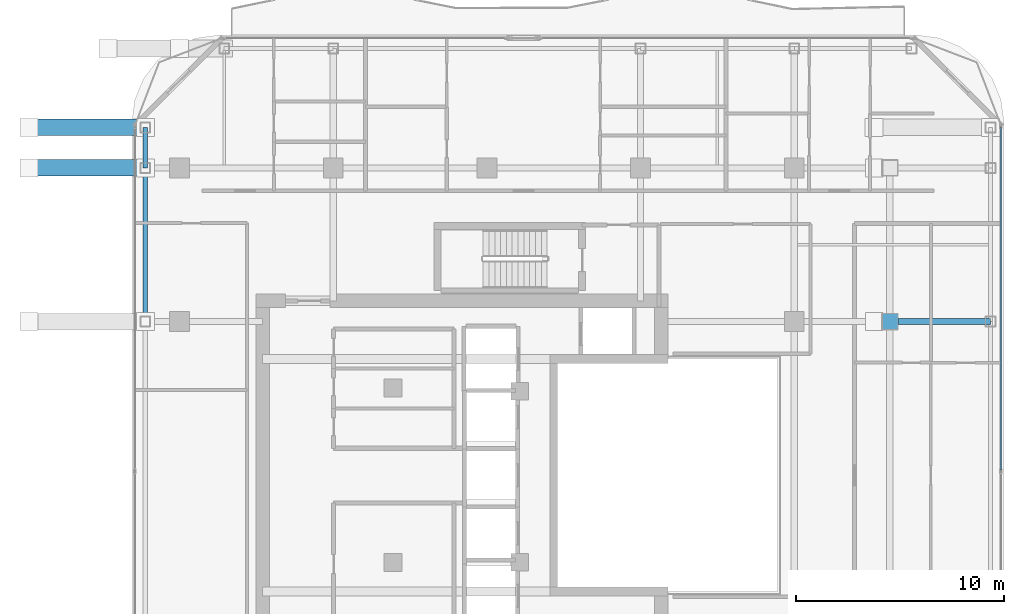
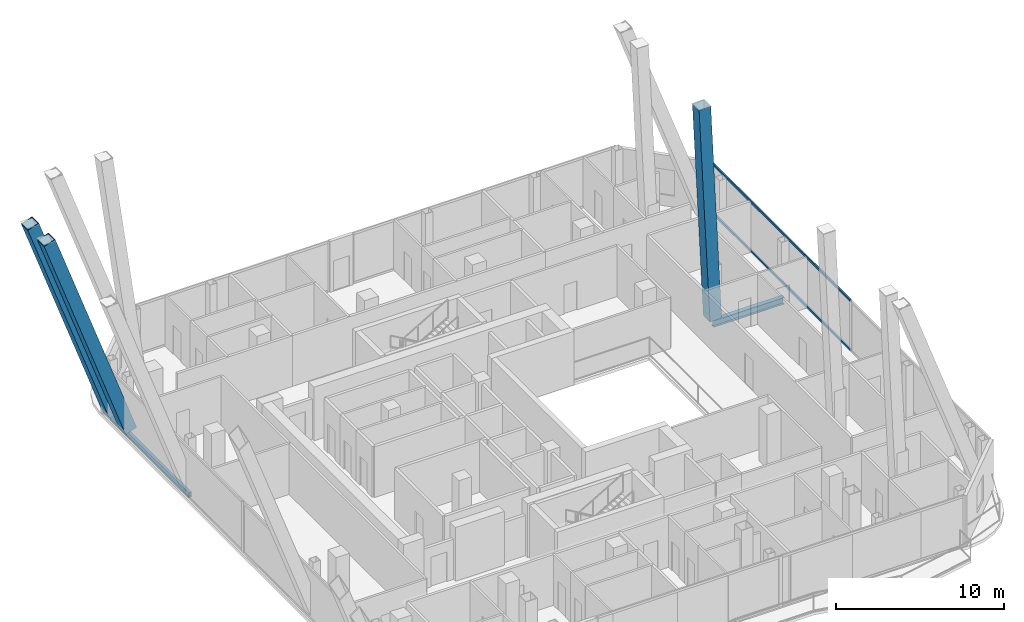
# One storey, part 10 of 27: 5 members, 3 beams, 1 element without a shape of its own.
"""IFC4 building model written with IfcOpenShell, lengths in metres."""

from ifc_helpers import new_model, si_unit, direction, frame, origin, origin_2d, place, context, subcontext, project, spatial, hollow_rectangle, i_section, extrude, material, layer, layer_set, material_profile, profile_set, type_object, element, aggregate, save


model = new_model("IFC4")

# Units and contexts
model_context = context("Model", 3, precision=1e-05, world=origin(), true_north=direction((0.0, 1.0)))
body_context = subcontext(model_context, "Body", "Model", "MODEL_VIEW")
ifc_project = project(units=[si_unit("LENGTHUNIT", "METRE"), si_unit("AREAUNIT", "SQUARE_METRE"), si_unit("VOLUMEUNIT", "CUBIC_METRE"), si_unit("PLANEANGLEUNIT", "RADIAN"), si_unit("MASSUNIT", "GRAM", prefix="KILO")], contexts=[model_context])

# Site, building, storey
site_placement = place(None, origin())
site = spatial("IfcSite", under=ifc_project, at=site_placement, CompositionType="ELEMENT")
building_placement = place(site_placement, origin())
building = spatial("IfcBuilding", under=site, at=building_placement, Name="Khorvyn Point Tower", CompositionType="ELEMENT")
storey_placement = place(building_placement, frame((0.0, 0.0, 270.300048828125)))
storey = spatial("IfcBuildingStorey", under=building, at=storey_placement, Name="L66", CompositionType="ELEMENT", Elevation=270.300048828125)

# Curtain wall, members
ifc_material_1 = material(Name="Anodised aluminium 6063-T6 and laminated Low-E glass", Category="aluminium")
ifc_layer = layer(ifc_material_1, 0.18994140625)
ifc_layer_set = layer_set([ifc_layer], Name="Stick-Built High-Wind Curtain Wall CW-SYS-04")
curtain_wall_type = type_object("IfcCurtainWallType", Name="Stick-Built High-Wind Curtain Wall CW-SYS-04", PredefinedType="NOTDEFINED", material=ifc_layer_set)
curtain_wall_placement = place(storey_placement, origin())
curtain_wall = element("IfcCurtainWall", 1, at=curtain_wall_placement, inside=storey, type_object=curtain_wall_type, Name="Curtain Wall", PredefinedType="NOTDEFINED")
ifc_material_2 = material(Name="Anodised aluminium 6063-T6", Category="aluminium")
ifc_material_profile_1 = material_profile(ifc_material_2, hollow_rectangle(XDim=0.10009765625, YDim=0.159912109375, WallThickness=0.00439453125, at=origin_2d()))
ifc_profile_set_1 = profile_set([ifc_material_profile_1], Name="Anodised aluminium 6063-T6 ALU-TRN-100x160")
member_type_1 = type_object("IfcMemberType", Name="Anodised Aluminium 6063-T6 Transom ALU-TRN-100x160", PredefinedType="USERDEFINED", material=ifc_profile_set_1)
member_1_placement = place(storey_placement, frame((24.75, 16.75, 0.050048828125), z_axis=(0.0, -1.0, 0.0), x_axis=(1.0, 0.0, 0.0)))
member_1 = element("IfcMember", 2, at=member_1_placement, type_object=member_type_1, Name="Transom", ObjectType="TRANSOM", PredefinedType="USERDEFINED", context=body_context, shape_type="SweptSolid", body=[
    extrude(hollow_rectangle(XDim=0.10009765625, YDim=0.159912109375, WallThickness=0.00439453125, at=origin_2d()), origin(), (0.0, 0.0, 1.0), 16.5),
])
member_2_placement = place(storey_placement, frame((24.75, 16.75, 3.6298828125), z_axis=(0.0, -1.0, 0.0), x_axis=(1.0, 0.0, 0.0)))
member_2 = element("IfcMember", 3, at=member_2_placement, type_object=member_type_1, Name="Transom", ObjectType="TRANSOM", PredefinedType="USERDEFINED", context=body_context, shape_type="SweptSolid", body=[
    extrude(hollow_rectangle(XDim=0.10009765625, YDim=0.159912109375, WallThickness=0.00439453125, at=origin_2d()), origin(), (0.0, 0.0, 1.0), 16.5),
])
aggregate(curtain_wall, [member_1, member_2])

# Beams
ifc_material_3 = material(Name="Steel S355", Category="steel")
ifc_material_profile_2 = material_profile(ifc_material_3, i_section(OverallWidth=0.300048828125, OverallDepth=0.488037109375, WebThickness=0.010986328125, FlangeThickness=0.01806640625, at=origin_2d()))
ifc_profile_set_2 = profile_set([ifc_material_profile_2], Name="Steel S355 H488x300x11x18")
beam_type_1 = type_object("IfcBeamType", Name="Steel S355 Spandrel H488x300x11x18", PredefinedType="SPANDREL", material=ifc_profile_set_2)
beam_1_placement = place(storey_placement, frame((19.39990234375, 7.39990234375, -0.464111328125), z_axis=(1.0, 0.0, 0.0), x_axis=(0.0, 1.0, 0.0)))
element("IfcBeam", 4, at=beam_1_placement, inside=storey, type_object=beam_type_1, Name="Beam", PredefinedType="SPANDREL", context=body_context, shape_type="SweptSolid", body=[
    extrude(i_section(OverallWidth=0.300048828125, OverallDepth=0.488037109375, WebThickness=0.010986328125, FlangeThickness=0.01806640625, at=origin_2d()), origin(), (0.0, 0.0, 1.0), 4.85009765625),
])
ifc_material_profile_3 = material_profile(ifc_material_3, hollow_rectangle(XDim=0.199951171875, YDim=0.35009765625, WallThickness=0.013916015625, at=origin_2d()))
ifc_profile_set_3 = profile_set([ifc_material_profile_3], Name="Steel S355 RHS350x200x14")
beam_type_2 = type_object("IfcBeamType", Name="Steel S355 Spandrel RHS350x200x14", PredefinedType="SPANDREL", material=ifc_profile_set_3)
beam_2_placement = place(storey_placement, frame((-16.449951171875, 7.39990234375, -0.39501953125), z_axis=(0.0, 1.0, 0.0), x_axis=(-1.0, 0.0, 0.0)))
element("IfcBeam", 5, at=beam_2_placement, inside=storey, type_object=beam_type_2, Name="Beam", PredefinedType="SPANDREL", context=body_context, shape_type="SweptSolid", body=[
    extrude(hollow_rectangle(XDim=0.199951171875, YDim=0.35009765625, WallThickness=0.013916015625, at=origin_2d()), origin(), (0.0, 0.0, 1.0), 7.400146484375),
])
beam_3_placement = place(storey_placement, frame((-16.449951171875, 14.800048828125, -0.39501953125), z_axis=(0.0, 1.0, 0.0), x_axis=(-1.0, 0.0, 0.0)))
element("IfcBeam", 6, at=beam_3_placement, inside=storey, type_object=beam_type_2, Name="Beam", PredefinedType="SPANDREL", context=body_context, shape_type="SweptSolid", body=[
    extrude(hollow_rectangle(XDim=0.199951171875, YDim=0.35009765625, WallThickness=0.013916015625, at=origin_2d()), origin(), (0.0, 0.0, 1.0), 1.949951171875),
])

# Members
ifc_material_4 = material(Name="Steel S450", Category="steel")
ifc_material_profile_4 = material_profile(ifc_material_4, hollow_rectangle(XDim=0.800048828125, YDim=0.800048828125, WallThickness=0.035888671875, at=origin_2d()))
ifc_profile_set_4 = profile_set([ifc_material_profile_4], Name="Steel S450 BOX800x800x36")
member_type_2 = type_object("IfcMemberType", Name="Steel S450 Exoskeleton Structural Post BOX800x800x36", PredefinedType="POST", material=ifc_profile_set_4)
member_3_placement = place(storey_placement, frame((-16.449951171875, 16.75, 0.0), z_axis=(-0.337872783366, 0.0, 0.941191788245), x_axis=(0.0, -1.0, 0.0)))
element("IfcMember", 7, at=member_3_placement, inside=storey, type_object=member_type_2, Name="L66 to L70 Exoskeleton Transfer Post 04", PredefinedType="POST", context=body_context, shape_type="SweptSolid", body=[
    extrude(hollow_rectangle(XDim=0.800048828125, YDim=0.800048828125, WallThickness=0.035888671875, at=origin_2d()), origin(), (0.0, 0.0, 1.0), 16.574462890625),
])
member_4_placement = place(storey_placement, frame((19.39990234375, 7.39990234375, 0.0), z_axis=(-0.048021906826, 0.0, 0.998846282701), x_axis=(0.0, -1.0, 0.0)))
element("IfcMember", 8, at=member_4_placement, inside=storey, type_object=member_type_2, Name="L66 to L70 Exoskeleton Transfer Post 14", PredefinedType="POST", context=body_context, shape_type="SweptSolid", body=[
    extrude(hollow_rectangle(XDim=0.800048828125, YDim=0.800048828125, WallThickness=0.035888671875, at=origin_2d()), origin(), (0.0, 0.0, 1.0), 15.617919921875),
])
member_5_placement = place(storey_placement, frame((-16.449951171875, 14.800048828125, 0.0), z_axis=(-0.337872783366, 0.0, 0.941191788245), x_axis=(0.0, -1.0, 0.0)))
element("IfcMember", 9, at=member_5_placement, inside=storey, type_object=member_type_2, Name="L66 to L70 Exoskeleton Transfer Post 15", PredefinedType="POST", context=body_context, shape_type="SweptSolid", body=[
    extrude(hollow_rectangle(XDim=0.800048828125, YDim=0.800048828125, WallThickness=0.035888671875, at=origin_2d()), origin(), (0.0, 0.0, 1.0), 16.574462890625),
])

save(model, "model.ifc")
